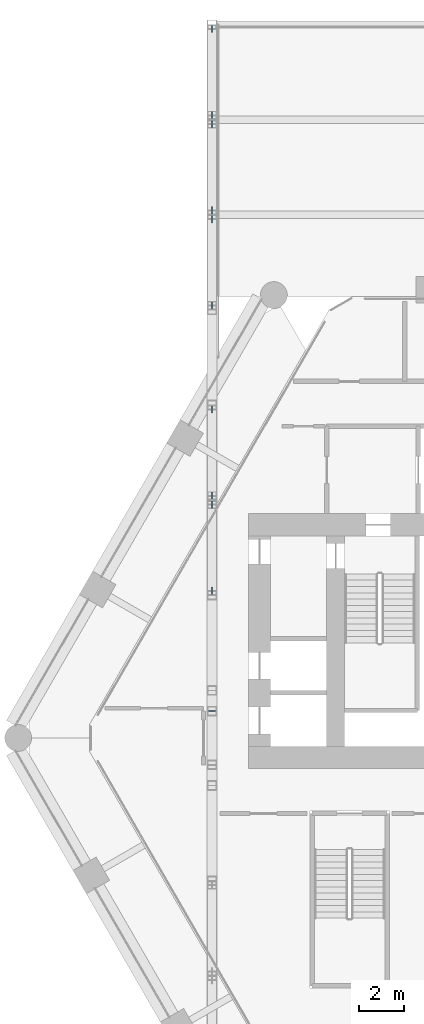
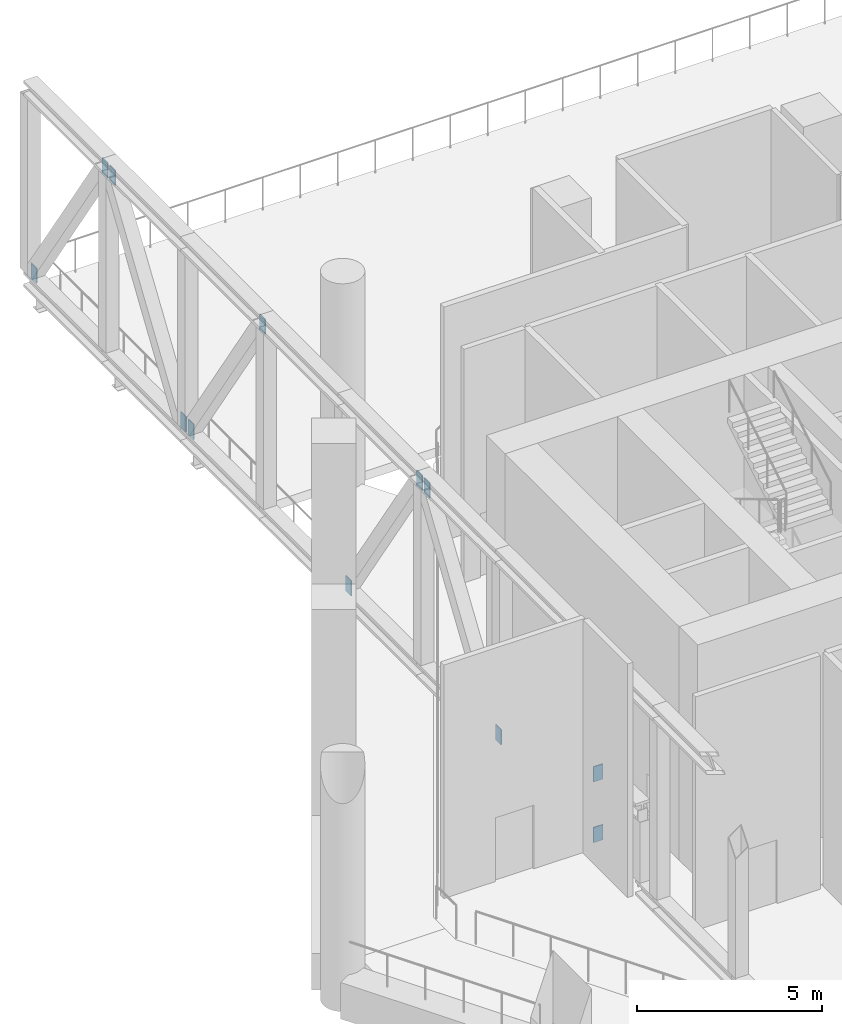
# One storey, part 10 of 16: 12 discrete accessories.
"""IFC4 building model written with IfcOpenShell, lengths in metres."""

from ifc_helpers import new_model, si_unit, direction, frame, origin, origin_2d, place, context, subcontext, project, spatial, rectangle, extrude, material, layer, layer_set, type_object, element, save


model = new_model("IFC4")

# Units and contexts
model_context = context("Model", 3, precision=1e-05, world=origin(), true_north=direction((0.0, 1.0)))
body_context = subcontext(model_context, "Body", "Model", "MODEL_VIEW")
ifc_project = project(units=[si_unit("LENGTHUNIT", "METRE"), si_unit("AREAUNIT", "SQUARE_METRE"), si_unit("VOLUMEUNIT", "CUBIC_METRE"), si_unit("PLANEANGLEUNIT", "RADIAN"), si_unit("MASSUNIT", "GRAM", prefix="KILO")], contexts=[model_context])

# Site, building, storey
site_placement = place(None, origin())
site = spatial("IfcSite", under=ifc_project, at=site_placement, CompositionType="ELEMENT")
building_placement = place(site_placement, origin())
building = spatial("IfcBuilding", under=site, at=building_placement, Name="Ostrander Bayou Hotel Tower", CompositionType="ELEMENT")
storey_placement = place(building_placement, frame((0.0, 0.0, 108.0)))
storey = spatial("IfcBuildingStorey", under=building, at=storey_placement, Name="L27", CompositionType="ELEMENT", Elevation=108.0)

# Discrete accessories
ifc_material = material(Name="Steel ASTM A572 Gr 50", Category="steel")
ifc_layer = layer(ifc_material, 0.030029296875)
ifc_layer_set = layer_set([ifc_layer], Name="GP1 gusset plate 30 mm")
discrete_accessory_type = type_object("IfcDiscreteAccessoryType", Name="GP1 gusset plate 30 mm", PredefinedType="BRACKET", material=ifc_layer_set)
for number, where, z_axis, x_axis, name in (
    (1, (-13.6201171875, 31.34228515625, 0.247802734375), (0.0, 0.0, 1.0), (0.0, -1.0, 0.0), "GP1 gusset plate bar 57"),
    (2, (-13.6201171875, 27.498779296875, 6.05224609375), (0.0, 0.0, 1.0), (0.0, -1.0, 0.0), "GP1 gusset plate bar 58"),
    (3, (-13.6201171875, 23.249267578125, 0.247802734375), (0.0, 0.0, 1.0), (0.0, 1.0, 0.0), "GP1 gusset plate bar 59"),
    (4, (-13.6201171875, 27.092529296875, 6.05224609375), (0.0, 0.0, 1.0), (0.0, 1.0, 0.0), "GP1 gusset plate bar 60"),
    (5, (-13.6201171875, 22.8427734375, 0.247802734375), (0.0, 0.0, 1.0), (0.0, -1.0, 0.0), "GP1 gusset plate bar 61"),
    (6, (-13.6201171875, 18.99951171875, 6.05224609375), (0.0, 0.0, 1.0), (0.0, -1.0, 0.0), "GP1 gusset plate bar 62"),
    (7, (-13.6201171875, 14.343505859375, 0.247802734375), (0.0, 0.0, 1.0), (0.0, -1.0, 0.0), "GP1 gusset plate bar 63"),
    (8, (-13.6201171875, 10.5, 6.05224609375), (0.0, 0.0, 1.0), (0.0, -1.0, 0.0), "GP1 gusset plate bar 64"),
    (9, (-13.6201171875, 6.25048828125, 0.247802734375), (0.0, 0.0, 1.0), (0.0, 1.0, 0.0), "GP1 gusset plate bar 65"),
    (10, (-13.6201171875, 10.09375, 6.05224609375), (0.0, 0.0, 1.0), (0.0, 1.0, 0.0), "GP1 gusset plate bar 66"),
    (11, (-13.6201171875, 0.872802734375, 0.247802734375), (0.0, 0.0, 1.0), (1.0, 0.0, 0.0), "GP1 gusset plate bar 67"),
    (12, (-13.6201171875, 0.872802734375, 2.25), (0.0, 0.0, 1.0), (1.0, 0.0, 0.0), "GP1 gusset plate bar 68"),
):
    element("IfcDiscreteAccessory", number, at=place(storey_placement, frame(where, z_axis=z_axis, x_axis=x_axis)), inside=storey, type_object=discrete_accessory_type, Name=name, PredefinedType="BRACKET", context=body_context, shape_type="SweptSolid", body=[
        extrude(rectangle(XDim=0.300048828125, YDim=0.030029296875, at=origin_2d()), origin(), (0.0, 0.0, 1.0), 0.5),
    ])

save(model, "model.ifc")
